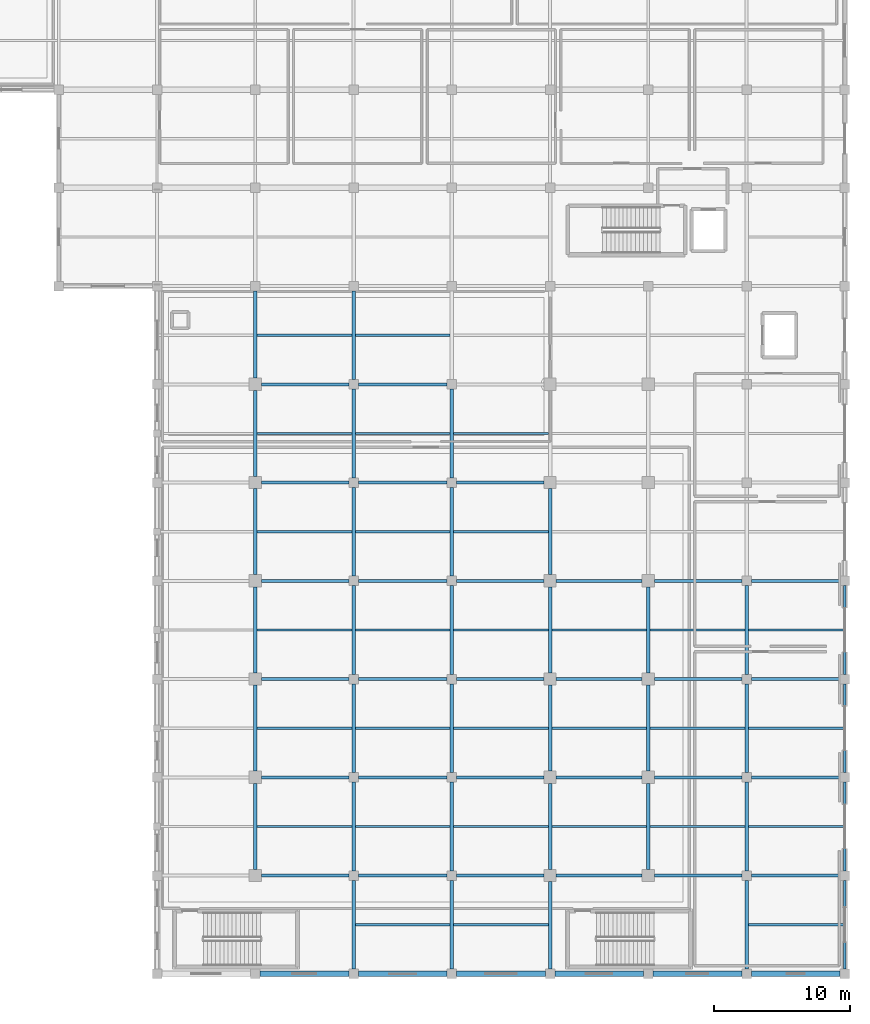
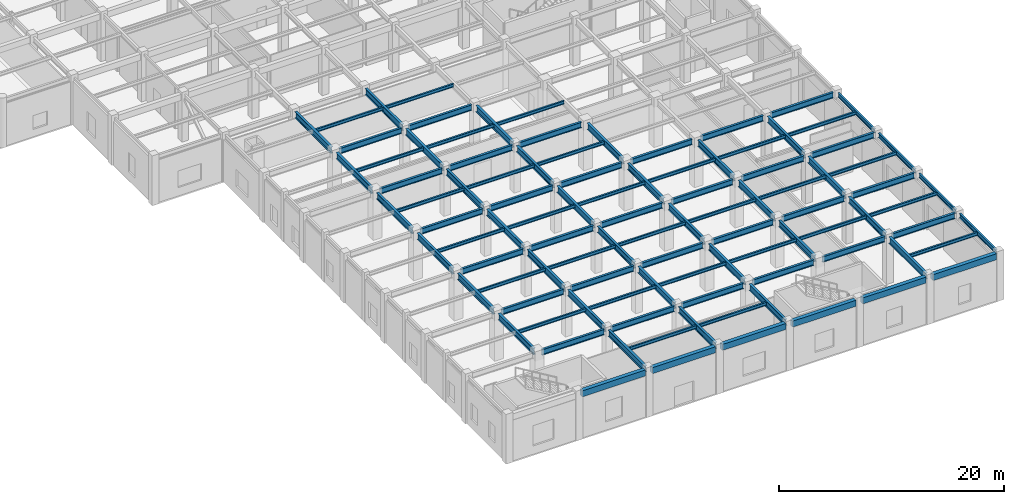
# One storey, part 53 of 102: 99 beams.
"""IFC4 building model written with IfcOpenShell, lengths in metres."""

from ifc_helpers import new_model, si_unit, direction, frame, origin, origin_2d, place, context, subcontext, project, spatial, rectangle, i_section, extrude, material, material_profile, profile_set, type_object, element, save


model = new_model("IFC4")

# Units and contexts
model_context = context("Model", 3, precision=1e-05, world=origin(), true_north=direction((0.0, 1.0)))
body_context = subcontext(model_context, "Body", "Model", "MODEL_VIEW")
ifc_project = project(units=[si_unit("LENGTHUNIT", "METRE"), si_unit("AREAUNIT", "SQUARE_METRE"), si_unit("VOLUMEUNIT", "CUBIC_METRE"), si_unit("PLANEANGLEUNIT", "RADIAN"), si_unit("MASSUNIT", "GRAM", prefix="KILO")], contexts=[model_context])

# Site, building, storey
site_placement = place(None, origin())
site = spatial("IfcSite", under=ifc_project, at=site_placement, CompositionType="ELEMENT")
building_placement = place(site_placement, origin())
building = spatial("IfcBuilding", under=site, at=building_placement, Name="Carrowvane Square Congress Hotel", CompositionType="ELEMENT")
storey_placement = place(building_placement, origin())
storey = spatial("IfcBuildingStorey", under=building, at=storey_placement, Name="L00", CompositionType="ELEMENT", Elevation=0.0)

# Beams
ifc_material_1 = material(Name="Steel S355", Category="steel")
ifc_material_profile_1 = material_profile(ifc_material_1, i_section(OverallWidth=0.172119140625, OverallDepth=0.35791015625, WebThickness=0.008056640625, FlangeThickness=0.012939453125, FilletRadius=0.01025390625, at=origin_2d()), Name="UKB 356x171x57")
ifc_profile_set_1 = profile_set([ifc_material_profile_1], Name="Steel S355")
beam_type_1 = type_object("IfcBeamType", Name="BM-ST-UKB356", PredefinedType="JOIST", material=ifc_profile_set_1)
for number, where, z_axis, x_axis, name in (
    (1, (141.3271484375, 16.199951171875, 4.9208984375), (1.0, 0.0, 0.0), (0.0, 1.0, 0.0), "L01 secondary joist 19-20"),
    (2, (141.3271484375, 23.39990234375, 4.9208984375), (1.0, 0.0, 0.0), (0.0, 1.0, 0.0), "L01 secondary joist 19-20"),
    (3, (141.3271484375, 30.60009765625, 4.9208984375), (1.0, 0.0, 0.0), (0.0, 1.0, 0.0), "L01 secondary joist 19-20"),
    (4, (141.3271484375, 37.800048828125, 4.9208984375), (1.0, 0.0, 0.0), (0.0, 1.0, 0.0), "L01 secondary joist 19-20"),
    (5, (141.3271484375, 45.0, 4.9208984375), (1.0, 0.0, 0.0), (0.0, 1.0, 0.0), "L01 secondary joist 19-20"),
    (6, (141.3271484375, 52.199951171875, 4.9208984375), (1.0, 0.0, 0.0), (0.0, 1.0, 0.0), "L01 secondary joist 19-20"),
):
    element("IfcBeam", number, at=place(storey_placement, frame(where, z_axis=z_axis, x_axis=x_axis)), inside=storey, type_object=beam_type_1, Name=name, PredefinedType="JOIST", context=body_context, shape_type="SweptSolid", body=[
        extrude(i_section(OverallWidth=0.172119140625, OverallDepth=0.35791015625, WebThickness=0.008056640625, FlangeThickness=0.012939453125, FilletRadius=0.01025390625, at=origin_2d()), origin(), (0.0, 0.0, 1.0), 6.945556640625),
    ])
for number, where, z_axis, x_axis, name in (
    (7, (148.52734375, 9.0, 4.9208984375), (1.0, 0.0, 0.0), (0.0, 1.0, 0.0), "L01 secondary joist 20-21"),
    (8, (148.52734375, 16.199951171875, 4.9208984375), (1.0, 0.0, 0.0), (0.0, 1.0, 0.0), "L01 secondary joist 20-21"),
    (9, (148.52734375, 23.39990234375, 4.9208984375), (1.0, 0.0, 0.0), (0.0, 1.0, 0.0), "L01 secondary joist 20-21"),
    (10, (148.52734375, 30.60009765625, 4.9208984375), (1.0, 0.0, 0.0), (0.0, 1.0, 0.0), "L01 secondary joist 20-21"),
    (11, (148.52734375, 37.800048828125, 4.9208984375), (1.0, 0.0, 0.0), (0.0, 1.0, 0.0), "L01 secondary joist 20-21"),
    (12, (148.52734375, 45.0, 4.9208984375), (1.0, 0.0, 0.0), (0.0, 1.0, 0.0), "L01 secondary joist 20-21"),
    (13, (148.52734375, 52.199951171875, 4.9208984375), (1.0, 0.0, 0.0), (0.0, 1.0, 0.0), "L01 secondary joist 20-21"),
):
    element("IfcBeam", number, at=place(storey_placement, frame(where, z_axis=z_axis, x_axis=x_axis)), inside=storey, type_object=beam_type_1, Name=name, PredefinedType="JOIST", context=body_context, shape_type="SweptSolid", body=[
        extrude(i_section(OverallWidth=0.172119140625, OverallDepth=0.35791015625, WebThickness=0.008056640625, FlangeThickness=0.012939453125, FilletRadius=0.01025390625, at=origin_2d()), origin(), (0.0, 0.0, 1.0), 6.9453125),
    ])
for number, where, z_axis, x_axis, name in (
    (14, (155.727294921875, 9.0, 4.9208984375), (1.0, 0.0, 0.0), (0.0, 1.0, 0.0), "L01 secondary joist 21-22"),
    (15, (155.727294921875, 16.199951171875, 4.9208984375), (1.0, 0.0, 0.0), (0.0, 1.0, 0.0), "L01 secondary joist 21-22"),
    (16, (155.727294921875, 23.39990234375, 4.9208984375), (1.0, 0.0, 0.0), (0.0, 1.0, 0.0), "L01 secondary joist 21-22"),
    (17, (155.727294921875, 30.60009765625, 4.9208984375), (1.0, 0.0, 0.0), (0.0, 1.0, 0.0), "L01 secondary joist 21-22"),
    (18, (155.727294921875, 37.800048828125, 4.9208984375), (1.0, 0.0, 0.0), (0.0, 1.0, 0.0), "L01 secondary joist 21-22"),
    (19, (155.727294921875, 45.0, 4.9208984375), (1.0, 0.0, 0.0), (0.0, 1.0, 0.0), "L01 secondary joist 21-22"),
    (20, (162.92724609375, 16.199951171875, 4.9208984375), (1.0, 0.0, 0.0), (0.0, 1.0, 0.0), "L01 secondary joist 22-23"),
    (21, (162.92724609375, 23.39990234375, 4.9208984375), (1.0, 0.0, 0.0), (0.0, 1.0, 0.0), "L01 secondary joist 22-23"),
    (22, (162.92724609375, 30.60009765625, 4.9208984375), (1.0, 0.0, 0.0), (0.0, 1.0, 0.0), "L01 secondary joist 22-23"),
    (23, (170.127197265625, 16.199951171875, 4.9208984375), (1.0, 0.0, 0.0), (0.0, 1.0, 0.0), "L01 secondary joist 23-24"),
    (24, (170.127197265625, 23.39990234375, 4.9208984375), (1.0, 0.0, 0.0), (0.0, 1.0, 0.0), "L01 secondary joist 23-24"),
    (25, (170.127197265625, 30.60009765625, 4.9208984375), (1.0, 0.0, 0.0), (0.0, 1.0, 0.0), "L01 secondary joist 23-24"),
):
    element("IfcBeam", number, at=place(storey_placement, frame(where, z_axis=z_axis, x_axis=x_axis)), inside=storey, type_object=beam_type_1, Name=name, PredefinedType="JOIST", context=body_context, shape_type="SweptSolid", body=[
        extrude(i_section(OverallWidth=0.172119140625, OverallDepth=0.35791015625, WebThickness=0.008056640625, FlangeThickness=0.012939453125, FilletRadius=0.01025390625, at=origin_2d()), origin(), (0.0, 0.0, 1.0), 6.945556640625),
    ])
for number, where, z_axis, x_axis, name in (
    (26, (177.3271484375, 9.0, 4.9208984375), (1.0, 0.0, 0.0), (0.0, 1.0, 0.0), "L01 secondary joist 24-25"),
    (27, (177.3271484375, 16.199951171875, 4.9208984375), (1.0, 0.0, 0.0), (0.0, 1.0, 0.0), "L01 secondary joist 24-25"),
    (28, (177.3271484375, 23.39990234375, 4.9208984375), (1.0, 0.0, 0.0), (0.0, 1.0, 0.0), "L01 secondary joist 24-25"),
    (29, (177.3271484375, 30.60009765625, 4.9208984375), (1.0, 0.0, 0.0), (0.0, 1.0, 0.0), "L01 secondary joist 24-25"),
):
    element("IfcBeam", number, at=place(storey_placement, frame(where, z_axis=z_axis, x_axis=x_axis)), inside=storey, type_object=beam_type_1, Name=name, PredefinedType="JOIST", context=body_context, shape_type="SweptSolid", body=[
        extrude(i_section(OverallWidth=0.172119140625, OverallDepth=0.35791015625, WebThickness=0.008056640625, FlangeThickness=0.012939453125, FilletRadius=0.01025390625, at=origin_2d()), origin(), (0.0, 0.0, 1.0), 6.977294921875),
    ])
ifc_material_2 = material(Name="Steel S355", Category="steel")
ifc_material_profile_2 = material_profile(ifc_material_2, i_section(OverallWidth=0.19140625, OverallDepth=0.4599609375, WebThickness=0.010009765625, FlangeThickness=0.01611328125, FilletRadius=0.01025390625, at=origin_2d()), Name="UKB 457x191x82")
ifc_profile_set_2 = profile_set([ifc_material_profile_2], Name="Steel S355")
beam_type_2 = type_object("IfcBeamType", Name="BM-ST-UKB457", PredefinedType="SPANDREL", material=ifc_profile_set_2)
for number, where, z_axis, x_axis, name in (
    (30, (184.39990234375, 5.75, 4.8701171875), (0.0, 1.0, 0.0), (-1.0, 0.0, 0.0), "L01 girder 25/A-B"),
    (31, (184.39990234375, 12.949951171875, 4.8701171875), (0.0, 1.0, 0.0), (-1.0, 0.0, 0.0), "L01 girder 25/B-C"),
    (32, (184.39990234375, 20.14990234375, 4.8701171875), (0.0, 1.0, 0.0), (-1.0, 0.0, 0.0), "L01 girder 25/C-D"),
    (33, (184.39990234375, 27.35009765625, 4.8701171875), (0.0, 1.0, 0.0), (-1.0, 0.0, 0.0), "L01 girder 25/D-E"),
):
    element("IfcBeam", number, at=place(storey_placement, frame(where, z_axis=z_axis, x_axis=x_axis)), inside=storey, type_object=beam_type_2, Name=name, PredefinedType="SPANDREL", context=body_context, shape_type="SweptSolid", body=[
        extrude(i_section(OverallWidth=0.19140625, OverallDepth=0.4599609375, WebThickness=0.010009765625, FlangeThickness=0.01611328125, FilletRadius=0.01025390625, at=origin_2d()), origin(), (0.0, 0.0, 1.0), 6.5),
    ])
ifc_material_3 = material(Name="Steel S355", Category="steel")
ifc_material_profile_3 = material_profile(ifc_material_3, i_section(OverallWidth=0.22900390625, OverallDepth=0.6123046875, WebThickness=0.011962890625, FlangeThickness=0.01953125, FilletRadius=0.0126953125, at=origin_2d()), Name="UKB 610x229x125")
ifc_profile_set_3 = profile_set([ifc_material_profile_3], Name="Steel S355")
beam_type_3 = type_object("IfcBeamType", Name="BM-ST-UKB610A", PredefinedType="USERDEFINED", material=ifc_profile_set_3)
beam_1_placement = place(storey_placement, frame((141.64990234375, 12.60009765625, 4.7939453125), z_axis=(1.0, 0.0, 0.0), x_axis=(0.0, 1.0, 0.0)))
element("IfcBeam", 34, at=beam_1_placement, inside=storey, type_object=beam_type_3, Name="L01 girder B/19-20", ObjectType="GIRDER", PredefinedType="USERDEFINED", context=body_context, shape_type="SweptSolid", body=[
    extrude(i_section(OverallWidth=0.22900390625, OverallDepth=0.6123046875, WebThickness=0.011962890625, FlangeThickness=0.01953125, FilletRadius=0.0126953125, at=origin_2d()), origin(), (0.0, 0.0, 1.0), 6.400146484375),
])
beam_2_placement = place(storey_placement, frame((148.75, 12.60009765625, 4.7939453125), z_axis=(1.0, 0.0, 0.0), x_axis=(0.0, 1.0, 0.0)))
element("IfcBeam", 35, at=beam_2_placement, inside=storey, type_object=beam_type_3, Name="L01 girder B/20-21", ObjectType="GIRDER", PredefinedType="USERDEFINED", context=body_context, shape_type="SweptSolid", body=[
    extrude(i_section(OverallWidth=0.22900390625, OverallDepth=0.6123046875, WebThickness=0.011962890625, FlangeThickness=0.01953125, FilletRadius=0.0126953125, at=origin_2d()), origin(), (0.0, 0.0, 1.0), 6.5),
])
beam_3_placement = place(storey_placement, frame((155.949951171875, 12.60009765625, 4.7939453125), z_axis=(1.0, 0.0, 0.0), x_axis=(0.0, 1.0, 0.0)))
element("IfcBeam", 36, at=beam_3_placement, inside=storey, type_object=beam_type_3, Name="L01 girder B/21-22", ObjectType="GIRDER", PredefinedType="USERDEFINED", context=body_context, shape_type="SweptSolid", body=[
    extrude(i_section(OverallWidth=0.22900390625, OverallDepth=0.6123046875, WebThickness=0.011962890625, FlangeThickness=0.01953125, FilletRadius=0.0126953125, at=origin_2d()), origin(), (0.0, 0.0, 1.0), 6.400146484375),
])
beam_4_placement = place(storey_placement, frame((163.25, 12.60009765625, 4.7939453125), z_axis=(1.0, 0.0, 0.0), x_axis=(0.0, 1.0, 0.0)))
element("IfcBeam", 37, at=beam_4_placement, inside=storey, type_object=beam_type_3, Name="L01 girder B/22-23", ObjectType="GIRDER", PredefinedType="USERDEFINED", context=body_context, shape_type="SweptSolid", body=[
    extrude(i_section(OverallWidth=0.22900390625, OverallDepth=0.6123046875, WebThickness=0.011962890625, FlangeThickness=0.01953125, FilletRadius=0.0126953125, at=origin_2d()), origin(), (0.0, 0.0, 1.0), 6.300048828125),
])
beam_5_placement = place(storey_placement, frame((170.449951171875, 12.60009765625, 4.7939453125), z_axis=(1.0, 0.0, 0.0), x_axis=(0.0, 1.0, 0.0)))
element("IfcBeam", 38, at=beam_5_placement, inside=storey, type_object=beam_type_3, Name="L01 girder B/23-24", ObjectType="GIRDER", PredefinedType="USERDEFINED", context=body_context, shape_type="SweptSolid", body=[
    extrude(i_section(OverallWidth=0.22900390625, OverallDepth=0.6123046875, WebThickness=0.011962890625, FlangeThickness=0.01953125, FilletRadius=0.0126953125, at=origin_2d()), origin(), (0.0, 0.0, 1.0), 6.400146484375),
])
beam_6_placement = place(storey_placement, frame((177.550048828125, 12.60009765625, 4.7939453125), z_axis=(1.0, 0.0, 0.0), x_axis=(0.0, 1.0, 0.0)))
element("IfcBeam", 39, at=beam_6_placement, inside=storey, type_object=beam_type_3, Name="L01 girder B/24-25", ObjectType="GIRDER", PredefinedType="USERDEFINED", context=body_context, shape_type="SweptSolid", body=[
    extrude(i_section(OverallWidth=0.22900390625, OverallDepth=0.6123046875, WebThickness=0.011962890625, FlangeThickness=0.01953125, FilletRadius=0.0126953125, at=origin_2d()), origin(), (0.0, 0.0, 1.0), 6.5),
])
beam_7_placement = place(storey_placement, frame((141.64990234375, 19.800048828125, 4.7939453125), z_axis=(1.0, 0.0, 0.0), x_axis=(0.0, 1.0, 0.0)))
element("IfcBeam", 40, at=beam_7_placement, inside=storey, type_object=beam_type_3, Name="L01 girder C/19-20", ObjectType="GIRDER", PredefinedType="USERDEFINED", context=body_context, shape_type="SweptSolid", body=[
    extrude(i_section(OverallWidth=0.22900390625, OverallDepth=0.6123046875, WebThickness=0.011962890625, FlangeThickness=0.01953125, FilletRadius=0.0126953125, at=origin_2d()), origin(), (0.0, 0.0, 1.0), 6.400146484375),
])
beam_8_placement = place(storey_placement, frame((148.75, 19.800048828125, 4.7939453125), z_axis=(1.0, 0.0, 0.0), x_axis=(0.0, 1.0, 0.0)))
element("IfcBeam", 41, at=beam_8_placement, inside=storey, type_object=beam_type_3, Name="L01 girder C/20-21", ObjectType="GIRDER", PredefinedType="USERDEFINED", context=body_context, shape_type="SweptSolid", body=[
    extrude(i_section(OverallWidth=0.22900390625, OverallDepth=0.6123046875, WebThickness=0.011962890625, FlangeThickness=0.01953125, FilletRadius=0.0126953125, at=origin_2d()), origin(), (0.0, 0.0, 1.0), 6.5),
])
beam_9_placement = place(storey_placement, frame((155.949951171875, 19.800048828125, 4.7939453125), z_axis=(1.0, 0.0, 0.0), x_axis=(0.0, 1.0, 0.0)))
element("IfcBeam", 42, at=beam_9_placement, inside=storey, type_object=beam_type_3, Name="L01 girder C/21-22", ObjectType="GIRDER", PredefinedType="USERDEFINED", context=body_context, shape_type="SweptSolid", body=[
    extrude(i_section(OverallWidth=0.22900390625, OverallDepth=0.6123046875, WebThickness=0.011962890625, FlangeThickness=0.01953125, FilletRadius=0.0126953125, at=origin_2d()), origin(), (0.0, 0.0, 1.0), 6.400146484375),
])
beam_10_placement = place(storey_placement, frame((163.25, 19.800048828125, 4.7939453125), z_axis=(1.0, 0.0, 0.0), x_axis=(0.0, 1.0, 0.0)))
element("IfcBeam", 43, at=beam_10_placement, inside=storey, type_object=beam_type_3, Name="L01 girder C/22-23", ObjectType="GIRDER", PredefinedType="USERDEFINED", context=body_context, shape_type="SweptSolid", body=[
    extrude(i_section(OverallWidth=0.22900390625, OverallDepth=0.6123046875, WebThickness=0.011962890625, FlangeThickness=0.01953125, FilletRadius=0.0126953125, at=origin_2d()), origin(), (0.0, 0.0, 1.0), 6.300048828125),
])
beam_11_placement = place(storey_placement, frame((170.449951171875, 19.800048828125, 4.7939453125), z_axis=(1.0, 0.0, 0.0), x_axis=(0.0, 1.0, 0.0)))
element("IfcBeam", 44, at=beam_11_placement, inside=storey, type_object=beam_type_3, Name="L01 girder C/23-24", ObjectType="GIRDER", PredefinedType="USERDEFINED", context=body_context, shape_type="SweptSolid", body=[
    extrude(i_section(OverallWidth=0.22900390625, OverallDepth=0.6123046875, WebThickness=0.011962890625, FlangeThickness=0.01953125, FilletRadius=0.0126953125, at=origin_2d()), origin(), (0.0, 0.0, 1.0), 6.400146484375),
])
beam_12_placement = place(storey_placement, frame((177.550048828125, 19.800048828125, 4.7939453125), z_axis=(1.0, 0.0, 0.0), x_axis=(0.0, 1.0, 0.0)))
element("IfcBeam", 45, at=beam_12_placement, inside=storey, type_object=beam_type_3, Name="L01 girder C/24-25", ObjectType="GIRDER", PredefinedType="USERDEFINED", context=body_context, shape_type="SweptSolid", body=[
    extrude(i_section(OverallWidth=0.22900390625, OverallDepth=0.6123046875, WebThickness=0.011962890625, FlangeThickness=0.01953125, FilletRadius=0.0126953125, at=origin_2d()), origin(), (0.0, 0.0, 1.0), 6.5),
])
beam_13_placement = place(storey_placement, frame((141.64990234375, 27.0, 4.7939453125), z_axis=(1.0, 0.0, 0.0), x_axis=(0.0, 1.0, 0.0)))
element("IfcBeam", 46, at=beam_13_placement, inside=storey, type_object=beam_type_3, Name="L01 girder D/19-20", ObjectType="GIRDER", PredefinedType="USERDEFINED", context=body_context, shape_type="SweptSolid", body=[
    extrude(i_section(OverallWidth=0.22900390625, OverallDepth=0.6123046875, WebThickness=0.011962890625, FlangeThickness=0.01953125, FilletRadius=0.0126953125, at=origin_2d()), origin(), (0.0, 0.0, 1.0), 6.400146484375),
])
beam_14_placement = place(storey_placement, frame((148.75, 27.0, 4.7939453125), z_axis=(1.0, 0.0, 0.0), x_axis=(0.0, 1.0, 0.0)))
element("IfcBeam", 47, at=beam_14_placement, inside=storey, type_object=beam_type_3, Name="L01 girder D/20-21", ObjectType="GIRDER", PredefinedType="USERDEFINED", context=body_context, shape_type="SweptSolid", body=[
    extrude(i_section(OverallWidth=0.22900390625, OverallDepth=0.6123046875, WebThickness=0.011962890625, FlangeThickness=0.01953125, FilletRadius=0.0126953125, at=origin_2d()), origin(), (0.0, 0.0, 1.0), 6.5),
])
beam_15_placement = place(storey_placement, frame((155.949951171875, 27.0, 4.7939453125), z_axis=(1.0, 0.0, 0.0), x_axis=(0.0, 1.0, 0.0)))
element("IfcBeam", 48, at=beam_15_placement, inside=storey, type_object=beam_type_3, Name="L01 girder D/21-22", ObjectType="GIRDER", PredefinedType="USERDEFINED", context=body_context, shape_type="SweptSolid", body=[
    extrude(i_section(OverallWidth=0.22900390625, OverallDepth=0.6123046875, WebThickness=0.011962890625, FlangeThickness=0.01953125, FilletRadius=0.0126953125, at=origin_2d()), origin(), (0.0, 0.0, 1.0), 6.400146484375),
])
beam_16_placement = place(storey_placement, frame((163.25, 27.0, 4.7939453125), z_axis=(1.0, 0.0, 0.0), x_axis=(0.0, 1.0, 0.0)))
element("IfcBeam", 49, at=beam_16_placement, inside=storey, type_object=beam_type_3, Name="L01 girder D/22-23", ObjectType="GIRDER", PredefinedType="USERDEFINED", context=body_context, shape_type="SweptSolid", body=[
    extrude(i_section(OverallWidth=0.22900390625, OverallDepth=0.6123046875, WebThickness=0.011962890625, FlangeThickness=0.01953125, FilletRadius=0.0126953125, at=origin_2d()), origin(), (0.0, 0.0, 1.0), 6.300048828125),
])
beam_17_placement = place(storey_placement, frame((170.449951171875, 27.0, 4.7939453125), z_axis=(1.0, 0.0, 0.0), x_axis=(0.0, 1.0, 0.0)))
element("IfcBeam", 50, at=beam_17_placement, inside=storey, type_object=beam_type_3, Name="L01 girder D/23-24", ObjectType="GIRDER", PredefinedType="USERDEFINED", context=body_context, shape_type="SweptSolid", body=[
    extrude(i_section(OverallWidth=0.22900390625, OverallDepth=0.6123046875, WebThickness=0.011962890625, FlangeThickness=0.01953125, FilletRadius=0.0126953125, at=origin_2d()), origin(), (0.0, 0.0, 1.0), 6.400146484375),
])
beam_18_placement = place(storey_placement, frame((177.550048828125, 27.0, 4.7939453125), z_axis=(1.0, 0.0, 0.0), x_axis=(0.0, 1.0, 0.0)))
element("IfcBeam", 51, at=beam_18_placement, inside=storey, type_object=beam_type_3, Name="L01 girder D/24-25", ObjectType="GIRDER", PredefinedType="USERDEFINED", context=body_context, shape_type="SweptSolid", body=[
    extrude(i_section(OverallWidth=0.22900390625, OverallDepth=0.6123046875, WebThickness=0.011962890625, FlangeThickness=0.01953125, FilletRadius=0.0126953125, at=origin_2d()), origin(), (0.0, 0.0, 1.0), 6.5),
])
beam_19_placement = place(storey_placement, frame((141.64990234375, 34.199951171875, 4.7939453125), z_axis=(1.0, 0.0, 0.0), x_axis=(0.0, 1.0, 0.0)))
element("IfcBeam", 52, at=beam_19_placement, inside=storey, type_object=beam_type_3, Name="L01 girder E/19-20", ObjectType="GIRDER", PredefinedType="USERDEFINED", context=body_context, shape_type="SweptSolid", body=[
    extrude(i_section(OverallWidth=0.22900390625, OverallDepth=0.6123046875, WebThickness=0.011962890625, FlangeThickness=0.01953125, FilletRadius=0.0126953125, at=origin_2d()), origin(), (0.0, 0.0, 1.0), 6.400146484375),
])
beam_20_placement = place(storey_placement, frame((148.75, 34.199951171875, 4.7939453125), z_axis=(1.0, 0.0, 0.0), x_axis=(0.0, 1.0, 0.0)))
element("IfcBeam", 53, at=beam_20_placement, inside=storey, type_object=beam_type_3, Name="L01 girder E/20-21", ObjectType="GIRDER", PredefinedType="USERDEFINED", context=body_context, shape_type="SweptSolid", body=[
    extrude(i_section(OverallWidth=0.22900390625, OverallDepth=0.6123046875, WebThickness=0.011962890625, FlangeThickness=0.01953125, FilletRadius=0.0126953125, at=origin_2d()), origin(), (0.0, 0.0, 1.0), 6.5),
])
beam_21_placement = place(storey_placement, frame((155.949951171875, 34.199951171875, 4.7939453125), z_axis=(1.0, 0.0, 0.0), x_axis=(0.0, 1.0, 0.0)))
element("IfcBeam", 54, at=beam_21_placement, inside=storey, type_object=beam_type_3, Name="L01 girder E/21-22", ObjectType="GIRDER", PredefinedType="USERDEFINED", context=body_context, shape_type="SweptSolid", body=[
    extrude(i_section(OverallWidth=0.22900390625, OverallDepth=0.6123046875, WebThickness=0.011962890625, FlangeThickness=0.01953125, FilletRadius=0.0126953125, at=origin_2d()), origin(), (0.0, 0.0, 1.0), 6.400146484375),
])
beam_22_placement = place(storey_placement, frame((163.25, 34.199951171875, 4.7939453125), z_axis=(1.0, 0.0, 0.0), x_axis=(0.0, 1.0, 0.0)))
element("IfcBeam", 55, at=beam_22_placement, inside=storey, type_object=beam_type_3, Name="L01 girder E/22-23", ObjectType="GIRDER", PredefinedType="USERDEFINED", context=body_context, shape_type="SweptSolid", body=[
    extrude(i_section(OverallWidth=0.22900390625, OverallDepth=0.6123046875, WebThickness=0.011962890625, FlangeThickness=0.01953125, FilletRadius=0.0126953125, at=origin_2d()), origin(), (0.0, 0.0, 1.0), 6.300048828125),
])
beam_23_placement = place(storey_placement, frame((170.449951171875, 34.199951171875, 4.7939453125), z_axis=(1.0, 0.0, 0.0), x_axis=(0.0, 1.0, 0.0)))
element("IfcBeam", 56, at=beam_23_placement, inside=storey, type_object=beam_type_3, Name="L01 girder E/23-24", ObjectType="GIRDER", PredefinedType="USERDEFINED", context=body_context, shape_type="SweptSolid", body=[
    extrude(i_section(OverallWidth=0.22900390625, OverallDepth=0.6123046875, WebThickness=0.011962890625, FlangeThickness=0.01953125, FilletRadius=0.0126953125, at=origin_2d()), origin(), (0.0, 0.0, 1.0), 6.400146484375),
])
beam_24_placement = place(storey_placement, frame((177.550048828125, 34.199951171875, 4.7939453125), z_axis=(1.0, 0.0, 0.0), x_axis=(0.0, 1.0, 0.0)))
element("IfcBeam", 57, at=beam_24_placement, inside=storey, type_object=beam_type_3, Name="L01 girder E/24-25", ObjectType="GIRDER", PredefinedType="USERDEFINED", context=body_context, shape_type="SweptSolid", body=[
    extrude(i_section(OverallWidth=0.22900390625, OverallDepth=0.6123046875, WebThickness=0.011962890625, FlangeThickness=0.01953125, FilletRadius=0.0126953125, at=origin_2d()), origin(), (0.0, 0.0, 1.0), 6.5),
])
beam_25_placement = place(storey_placement, frame((141.64990234375, 41.39990234375, 4.7939453125), z_axis=(1.0, 0.0, 0.0), x_axis=(0.0, 1.0, 0.0)))
element("IfcBeam", 58, at=beam_25_placement, inside=storey, type_object=beam_type_3, Name="L01 girder F/19-20", ObjectType="GIRDER", PredefinedType="USERDEFINED", context=body_context, shape_type="SweptSolid", body=[
    extrude(i_section(OverallWidth=0.22900390625, OverallDepth=0.6123046875, WebThickness=0.011962890625, FlangeThickness=0.01953125, FilletRadius=0.0126953125, at=origin_2d()), origin(), (0.0, 0.0, 1.0), 6.400146484375),
])
beam_26_placement = place(storey_placement, frame((148.75, 41.39990234375, 4.7939453125), z_axis=(1.0, 0.0, 0.0), x_axis=(0.0, 1.0, 0.0)))
element("IfcBeam", 59, at=beam_26_placement, inside=storey, type_object=beam_type_3, Name="L01 girder F/20-21", ObjectType="GIRDER", PredefinedType="USERDEFINED", context=body_context, shape_type="SweptSolid", body=[
    extrude(i_section(OverallWidth=0.22900390625, OverallDepth=0.6123046875, WebThickness=0.011962890625, FlangeThickness=0.01953125, FilletRadius=0.0126953125, at=origin_2d()), origin(), (0.0, 0.0, 1.0), 6.5),
])
for number, where, z_axis, x_axis, name in (
    (60, (155.949951171875, 41.39990234375, 4.7939453125), (1.0, 0.0, 0.0), (0.0, 1.0, 0.0), "L01 girder F/21-22"),
    (61, (141.64990234375, 48.60009765625, 4.7939453125), (1.0, 0.0, 0.0), (0.0, 1.0, 0.0), "L01 girder G/19-20"),
):
    element("IfcBeam", number, at=place(storey_placement, frame(where, z_axis=z_axis, x_axis=x_axis)), inside=storey, type_object=beam_type_3, Name=name, ObjectType="GIRDER", PredefinedType="USERDEFINED", context=body_context, shape_type="SweptSolid", body=[
        extrude(i_section(OverallWidth=0.22900390625, OverallDepth=0.6123046875, WebThickness=0.011962890625, FlangeThickness=0.01953125, FilletRadius=0.0126953125, at=origin_2d()), origin(), (0.0, 0.0, 1.0), 6.400146484375),
    ])
beam_27_placement = place(storey_placement, frame((148.75, 48.60009765625, 4.7939453125), z_axis=(1.0, 0.0, 0.0), x_axis=(0.0, 1.0, 0.0)))
element("IfcBeam", 62, at=beam_27_placement, inside=storey, type_object=beam_type_3, Name="L01 girder G/20-21", ObjectType="GIRDER", PredefinedType="USERDEFINED", context=body_context, shape_type="SweptSolid", body=[
    extrude(i_section(OverallWidth=0.22900390625, OverallDepth=0.6123046875, WebThickness=0.011962890625, FlangeThickness=0.01953125, FilletRadius=0.0126953125, at=origin_2d()), origin(), (0.0, 0.0, 1.0), 6.5),
])
ifc_material_4 = material(Name="Steel S355", Category="steel")
ifc_material_profile_4 = material_profile(ifc_material_4, i_section(OverallWidth=0.25439453125, OverallDepth=0.6875, WebThickness=0.01318359375, FlangeThickness=0.02099609375, FilletRadius=0.01513671875, at=origin_2d()), Name="UKB 686x254x152")
ifc_profile_set_4 = profile_set([ifc_material_profile_4], Name="Steel S355")
beam_type_4 = type_object("IfcBeamType", Name="BM-ST-UKB686", PredefinedType="USERDEFINED", material=ifc_profile_set_4)
for number, where, z_axis, x_axis, name in (
    (63, (141.199951171875, 13.050048828125, 4.75634765625), (0.0, 1.0, 0.0), (-1.0, 0.0, 0.0), "L01 girder 19/B-C"),
    (64, (141.199951171875, 20.25, 4.75634765625), (0.0, 1.0, 0.0), (-1.0, 0.0, 0.0), "L01 girder 19/C-D"),
    (65, (141.199951171875, 27.449951171875, 4.75634765625), (0.0, 1.0, 0.0), (-1.0, 0.0, 0.0), "L01 girder 19/D-E"),
    (66, (141.199951171875, 34.64990234375, 4.75634765625), (0.0, 1.0, 0.0), (-1.0, 0.0, 0.0), "L01 girder 19/E-F"),
):
    element("IfcBeam", number, at=place(storey_placement, frame(where, z_axis=z_axis, x_axis=x_axis)), inside=storey, type_object=beam_type_4, Name=name, ObjectType="GIRDER", PredefinedType="USERDEFINED", context=body_context, shape_type="SweptSolid", body=[
        extrude(i_section(OverallWidth=0.25439453125, OverallDepth=0.6875, WebThickness=0.01318359375, FlangeThickness=0.02099609375, FilletRadius=0.01513671875, at=origin_2d()), origin(), (0.0, 0.0, 1.0), 6.300048828125),
    ])
beam_28_placement = place(storey_placement, frame((141.199951171875, 41.85009765625, 4.75634765625), z_axis=(0.0, 1.0, 0.0), x_axis=(-1.0, 0.0, 0.0)))
element("IfcBeam", 67, at=beam_28_placement, inside=storey, type_object=beam_type_4, Name="L01 girder 19/F-G", ObjectType="GIRDER", PredefinedType="USERDEFINED", context=body_context, shape_type="SweptSolid", body=[
    extrude(i_section(OverallWidth=0.25439453125, OverallDepth=0.6875, WebThickness=0.01318359375, FlangeThickness=0.02099609375, FilletRadius=0.01513671875, at=origin_2d()), origin(), (0.0, 0.0, 1.0), 6.2998046875),
])
beam_29_placement = place(storey_placement, frame((141.199951171875, 49.050048828125, 4.75634765625), z_axis=(0.0, 1.0, 0.0), x_axis=(-1.0, 0.0, 0.0)))
element("IfcBeam", 68, at=beam_29_placement, inside=storey, type_object=beam_type_4, Name="L01 girder 19/G-H", ObjectType="GIRDER", PredefinedType="USERDEFINED", context=body_context, shape_type="SweptSolid", body=[
    extrude(i_section(OverallWidth=0.25439453125, OverallDepth=0.6875, WebThickness=0.01318359375, FlangeThickness=0.02099609375, FilletRadius=0.01513671875, at=origin_2d()), origin(), (0.0, 0.0, 1.0), 6.39990234375),
])
for number, where, z_axis, x_axis, name in (
    (69, (148.39990234375, 5.75, 4.75634765625), (0.0, 1.0, 0.0), (-1.0, 0.0, 0.0), "L01 girder 20/A-B"),
    (70, (148.39990234375, 12.949951171875, 4.75634765625), (0.0, 1.0, 0.0), (-1.0, 0.0, 0.0), "L01 girder 20/B-C"),
    (71, (148.39990234375, 20.14990234375, 4.75634765625), (0.0, 1.0, 0.0), (-1.0, 0.0, 0.0), "L01 girder 20/C-D"),
    (72, (148.39990234375, 27.35009765625, 4.75634765625), (0.0, 1.0, 0.0), (-1.0, 0.0, 0.0), "L01 girder 20/D-E"),
    (73, (148.39990234375, 34.550048828125, 4.75634765625), (0.0, 1.0, 0.0), (-1.0, 0.0, 0.0), "L01 girder 20/E-F"),
    (74, (148.39990234375, 41.75, 4.75634765625), (0.0, 1.0, 0.0), (-1.0, 0.0, 0.0), "L01 girder 20/F-G"),
    (75, (148.39990234375, 48.949951171875, 4.75634765625), (0.0, 1.0, 0.0), (-1.0, 0.0, 0.0), "L01 girder 20/G-H"),
    (76, (155.60009765625, 5.75, 4.75634765625), (0.0, 1.0, 0.0), (-1.0, 0.0, 0.0), "L01 girder 21/A-B"),
    (77, (155.60009765625, 12.949951171875, 4.75634765625), (0.0, 1.0, 0.0), (-1.0, 0.0, 0.0), "L01 girder 21/B-C"),
    (78, (155.60009765625, 20.14990234375, 4.75634765625), (0.0, 1.0, 0.0), (-1.0, 0.0, 0.0), "L01 girder 21/C-D"),
    (79, (155.60009765625, 27.35009765625, 4.75634765625), (0.0, 1.0, 0.0), (-1.0, 0.0, 0.0), "L01 girder 21/D-E"),
    (80, (155.60009765625, 34.550048828125, 4.75634765625), (0.0, 1.0, 0.0), (-1.0, 0.0, 0.0), "L01 girder 21/E-F"),
    (81, (155.60009765625, 41.75, 4.75634765625), (0.0, 1.0, 0.0), (-1.0, 0.0, 0.0), "L01 girder 21/F-G"),
):
    element("IfcBeam", number, at=place(storey_placement, frame(where, z_axis=z_axis, x_axis=x_axis)), inside=storey, type_object=beam_type_4, Name=name, ObjectType="GIRDER", PredefinedType="USERDEFINED", context=body_context, shape_type="SweptSolid", body=[
        extrude(i_section(OverallWidth=0.25439453125, OverallDepth=0.6875, WebThickness=0.01318359375, FlangeThickness=0.02099609375, FilletRadius=0.01513671875, at=origin_2d()), origin(), (0.0, 0.0, 1.0), 6.5),
    ])
beam_30_placement = place(storey_placement, frame((162.800048828125, 5.75, 4.75634765625), z_axis=(0.0, 1.0, 0.0), x_axis=(-1.0, 0.0, 0.0)))
element("IfcBeam", 82, at=beam_30_placement, inside=storey, type_object=beam_type_4, Name="L01 girder 22/A-B", ObjectType="GIRDER", PredefinedType="USERDEFINED", context=body_context, shape_type="SweptSolid", body=[
    extrude(i_section(OverallWidth=0.25439453125, OverallDepth=0.6875, WebThickness=0.01318359375, FlangeThickness=0.02099609375, FilletRadius=0.01513671875, at=origin_2d()), origin(), (0.0, 0.0, 1.0), 6.39990234375),
])
for number, where, z_axis, x_axis, name in (
    (83, (162.800048828125, 13.050048828125, 4.75634765625), (0.0, 1.0, 0.0), (-1.0, 0.0, 0.0), "L01 girder 22/B-C"),
    (84, (162.800048828125, 20.25, 4.75634765625), (0.0, 1.0, 0.0), (-1.0, 0.0, 0.0), "L01 girder 22/C-D"),
    (85, (162.800048828125, 27.449951171875, 4.75634765625), (0.0, 1.0, 0.0), (-1.0, 0.0, 0.0), "L01 girder 22/D-E"),
    (86, (162.800048828125, 34.64990234375, 4.75634765625), (0.0, 1.0, 0.0), (-1.0, 0.0, 0.0), "L01 girder 22/E-F"),
    (87, (170.0, 13.050048828125, 4.75634765625), (0.0, 1.0, 0.0), (-1.0, 0.0, 0.0), "L01 girder 23/B-C"),
    (88, (170.0, 20.25, 4.75634765625), (0.0, 1.0, 0.0), (-1.0, 0.0, 0.0), "L01 girder 23/C-D"),
    (89, (170.0, 27.449951171875, 4.75634765625), (0.0, 1.0, 0.0), (-1.0, 0.0, 0.0), "L01 girder 23/D-E"),
):
    element("IfcBeam", number, at=place(storey_placement, frame(where, z_axis=z_axis, x_axis=x_axis)), inside=storey, type_object=beam_type_4, Name=name, ObjectType="GIRDER", PredefinedType="USERDEFINED", context=body_context, shape_type="SweptSolid", body=[
        extrude(i_section(OverallWidth=0.25439453125, OverallDepth=0.6875, WebThickness=0.01318359375, FlangeThickness=0.02099609375, FilletRadius=0.01513671875, at=origin_2d()), origin(), (0.0, 0.0, 1.0), 6.300048828125),
    ])
for number, where, z_axis, x_axis, name in (
    (90, (177.199951171875, 5.75, 4.75634765625), (0.0, 1.0, 0.0), (-1.0, 0.0, 0.0), "L01 girder 24/A-B"),
    (91, (177.199951171875, 12.949951171875, 4.75634765625), (0.0, 1.0, 0.0), (-1.0, 0.0, 0.0), "L01 girder 24/B-C"),
    (92, (177.199951171875, 20.14990234375, 4.75634765625), (0.0, 1.0, 0.0), (-1.0, 0.0, 0.0), "L01 girder 24/C-D"),
    (93, (177.199951171875, 27.35009765625, 4.75634765625), (0.0, 1.0, 0.0), (-1.0, 0.0, 0.0), "L01 girder 24/D-E"),
):
    element("IfcBeam", number, at=place(storey_placement, frame(where, z_axis=z_axis, x_axis=x_axis)), inside=storey, type_object=beam_type_4, Name=name, ObjectType="GIRDER", PredefinedType="USERDEFINED", context=body_context, shape_type="SweptSolid", body=[
        extrude(i_section(OverallWidth=0.25439453125, OverallDepth=0.6875, WebThickness=0.01318359375, FlangeThickness=0.02099609375, FilletRadius=0.01513671875, at=origin_2d()), origin(), (0.0, 0.0, 1.0), 6.5),
    ])
ifc_material_5 = material(Name="Concrete C35/45", Category="concrete")
ifc_material_profile_5 = material_profile(ifc_material_5, rectangle(XDim=0.39990234375, YDim=0.64990234375, at=origin_2d()), Name="RC 400x650")
ifc_profile_set_5 = profile_set([ifc_material_profile_5], Name="Concrete C35/45")
beam_type_5 = type_object("IfcBeamType", Name="SP-RC-400x650", PredefinedType="SPANDREL", material=ifc_profile_set_5)
for number, where, z_axis, x_axis, name in (
    (94, (141.550048828125, 5.39990234375, 4.77490234375), (1.0, 0.0, 0.0), (0.0, 1.0, 0.0), "L01 girder A/19-20"),
    (95, (148.75, 5.39990234375, 4.77490234375), (1.0, 0.0, 0.0), (0.0, 1.0, 0.0), "L01 girder A/20-21"),
    (96, (155.949951171875, 5.39990234375, 4.77490234375), (1.0, 0.0, 0.0), (0.0, 1.0, 0.0), "L01 girder A/21-22"),
    (97, (163.14990234375, 5.39990234375, 4.77490234375), (1.0, 0.0, 0.0), (0.0, 1.0, 0.0), "L01 girder A/22-23"),
    (98, (170.35009765625, 5.39990234375, 4.77490234375), (1.0, 0.0, 0.0), (0.0, 1.0, 0.0), "L01 girder A/23-24"),
    (99, (177.550048828125, 5.39990234375, 4.77490234375), (1.0, 0.0, 0.0), (0.0, 1.0, 0.0), "L01 girder A/24-25"),
):
    element("IfcBeam", number, at=place(storey_placement, frame(where, z_axis=z_axis, x_axis=x_axis)), inside=storey, type_object=beam_type_5, Name=name, PredefinedType="SPANDREL", context=body_context, shape_type="SweptSolid", body=[
        extrude(rectangle(XDim=0.39990234375, YDim=0.64990234375, at=origin_2d()), origin(), (0.0, 0.0, 1.0), 6.5),
    ])

save(model, "model.ifc")
